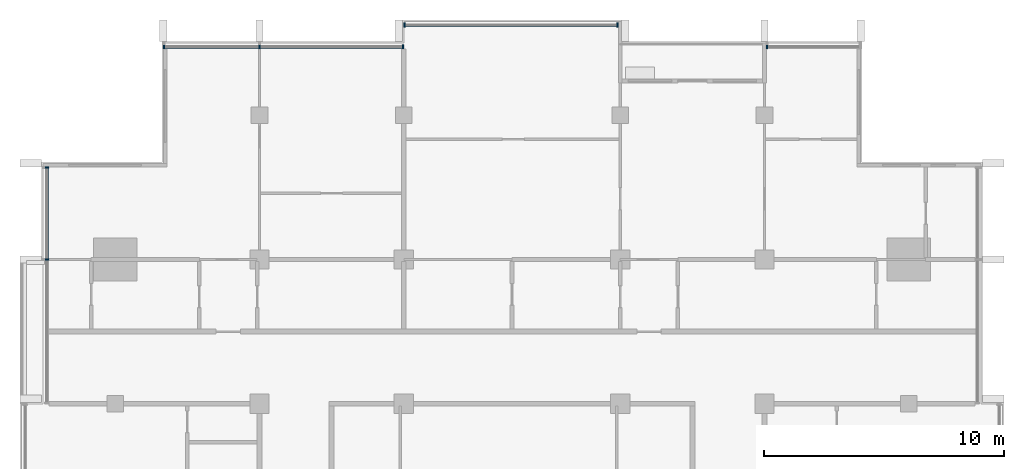
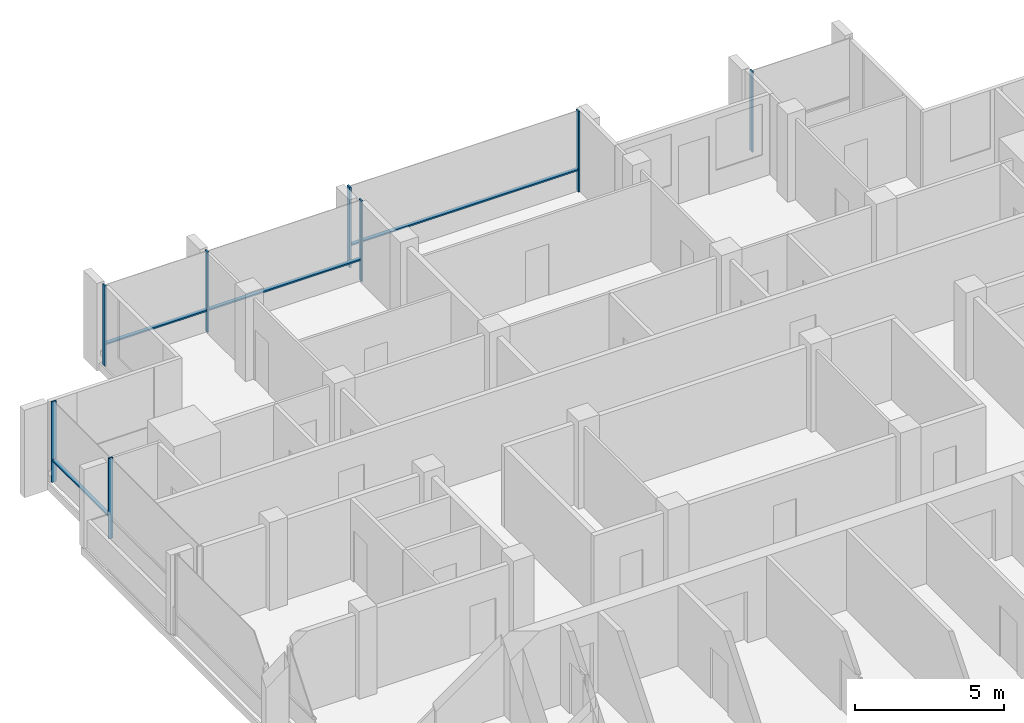
# One storey, part 4 of 16: 12 members, 4 elements without a shape of their own.
"""IFC4 building model written with IfcOpenShell, lengths in metres."""

from ifc_helpers import new_model, si_unit, direction, frame, origin, origin_2d, place, context, subcontext, project, spatial, rectangle, extrude, material, material_profile, profile_set, type_object, element, aggregate, save


model = new_model("IFC4")

# Units and contexts
model_context = context("Model", 3, precision=1e-05, world=origin(), true_north=direction((0.0, 1.0)))
body_context = subcontext(model_context, "Body", "Model", "MODEL_VIEW")
ifc_project = project(units=[si_unit("LENGTHUNIT", "METRE"), si_unit("AREAUNIT", "SQUARE_METRE"), si_unit("VOLUMEUNIT", "CUBIC_METRE"), si_unit("PLANEANGLEUNIT", "RADIAN"), si_unit("MASSUNIT", "GRAM", prefix="KILO")], contexts=[model_context])

# Site, building, storey
site_placement = place(None, origin())
site = spatial("IfcSite", under=ifc_project, at=site_placement, CompositionType="ELEMENT")
building_placement = place(site_placement, origin())
building = spatial("IfcBuilding", under=site, at=building_placement, Name="Finial Court Residences", CompositionType="ELEMENT")
storey_placement = place(building_placement, frame((0.0, 0.0, 284.300048828125)))
storey = spatial("IfcBuildingStorey", under=building, at=storey_placement, Name="L72", CompositionType="ELEMENT", Elevation=284.300048828125)

# Curtain wall, members
ifc_material = material(Name="Bronze anodised aluminium", Category="aluminium")
curtain_wall_type = type_object("IfcCurtainWallType", Name="Unitised curtain wall, upper zones", PredefinedType="NOTDEFINED", material=ifc_material)
curtain_wall_1_placement = place(storey_placement, origin())
curtain_wall_1 = element("IfcCurtainWall", 1, at=curtain_wall_1_placement, inside=storey, type_object=curtain_wall_type, Name="E-L72-CW-N1", PredefinedType="NOTDEFINED")
ifc_material_profile_1 = material_profile(ifc_material, rectangle(XDim=0.175048828125, YDim=0.06005859375, at=origin_2d()), Name="CW2 mullion 60 x 175")
ifc_profile_set_1 = profile_set([ifc_material_profile_1], Name="Bronze anodised aluminium")
member_type_1 = type_object("IfcMemberType", Name="CW2 mullion 60 x 175", PredefinedType="MULLION", material=ifc_profile_set_1)
member_1_placement = place(storey_placement, frame((-14.469970703125, 16.35009765625, 0.0), z_axis=(0.0, 0.0, 1.0), x_axis=(0.0, 1.0, 0.0)))
member_1 = element("IfcMember", 2, at=member_1_placement, type_object=member_type_1, Name="CW2 mullion 1", PredefinedType="MULLION", context=body_context, shape_type="SweptSolid", body=[
    extrude(rectangle(XDim=0.175048828125, YDim=0.06005859375, at=origin_2d()), origin(), (0.0, 0.0, 1.0), 3.300048828125),
])
member_2_placement = place(storey_placement, frame((-10.5, 16.35009765625, 0.0), z_axis=(0.0, 0.0, 1.0), x_axis=(0.0, 1.0, 0.0)))
member_2 = element("IfcMember", 3, at=member_2_placement, type_object=member_type_1, Name="CW2 mullion 2", PredefinedType="MULLION", context=body_context, shape_type="SweptSolid", body=[
    extrude(rectangle(XDim=0.175048828125, YDim=0.06005859375, at=origin_2d()), origin(), (0.0, 0.0, 1.0), 3.300048828125),
])
member_3_placement = place(storey_placement, frame((-4.530029296875, 16.35009765625, 0.0), z_axis=(0.0, 0.0, 1.0), x_axis=(0.0, 1.0, 0.0)))
member_3 = element("IfcMember", 4, at=member_3_placement, type_object=member_type_1, Name="CW2 mullion 3", PredefinedType="MULLION", context=body_context, shape_type="SweptSolid", body=[
    extrude(rectangle(XDim=0.175048828125, YDim=0.06005859375, at=origin_2d()), origin(), (0.0, 0.0, 1.0), 3.300048828125),
])

curtain_wall_2_placement = place(storey_placement, origin())
curtain_wall_2 = element("IfcCurtainWall", 5, at=curtain_wall_2_placement, inside=storey, type_object=curtain_wall_type, Name="E-L72-CW-N2", PredefinedType="NOTDEFINED")
member_4_placement = place(storey_placement, frame((-4.469970703125, 17.25, 0.0), z_axis=(0.0, 0.0, 1.0), x_axis=(0.0, 1.0, 0.0)))
member_4 = element("IfcMember", 6, at=member_4_placement, type_object=member_type_1, Name="CW2 mullion 1", PredefinedType="MULLION", context=body_context, shape_type="SweptSolid", body=[
    extrude(rectangle(XDim=0.175048828125, YDim=0.06005859375, at=origin_2d()), origin(), (0.0, 0.0, 1.0), 3.300048828125),
])
member_5_placement = place(storey_placement, frame((4.39501953125, 17.25, 0.0), z_axis=(0.0, 0.0, 1.0), x_axis=(0.0, 1.0, 0.0)))
member_5 = element("IfcMember", 7, at=member_5_placement, type_object=member_type_1, Name="CW2 mullion 2", PredefinedType="MULLION", context=body_context, shape_type="SweptSolid", body=[
    extrude(rectangle(XDim=0.175048828125, YDim=0.06005859375, at=origin_2d()), origin(), (0.0, 0.0, 1.0), 3.300048828125),
])

# Curtain wall, member
curtain_wall_3_placement = place(storey_placement, origin())
curtain_wall_3 = element("IfcCurtainWall", 8, at=curtain_wall_3_placement, inside=storey, type_object=curtain_wall_type, Name="E-L72-CW-N3", PredefinedType="NOTDEFINED")
member_6_placement = place(storey_placement, frame((10.60498046875, 16.35009765625, 0.0), z_axis=(0.0, 0.0, 1.0), x_axis=(0.0, 1.0, 0.0)))
member_6 = element("IfcMember", 9, at=member_6_placement, type_object=member_type_1, Name="CW2 mullion 1", PredefinedType="MULLION", context=body_context, shape_type="SweptSolid", body=[
    extrude(rectangle(XDim=0.175048828125, YDim=0.06005859375, at=origin_2d()), origin(), (0.0, 0.0, 1.0), 3.300048828125),
])
aggregate(curtain_wall_3, [member_6])

# Curtain wall, members
curtain_wall_4_placement = place(storey_placement, origin())
curtain_wall_4 = element("IfcCurtainWall", 10, at=curtain_wall_4_placement, inside=storey, type_object=curtain_wall_type, Name="E-L72-CW-W11", PredefinedType="NOTDEFINED")
member_7_placement = place(storey_placement, frame((-19.35009765625, 7.5, 0.0), z_axis=(0.0, 0.0, 1.0), x_axis=(-1.0, 0.0, 0.0)))
member_7 = element("IfcMember", 11, at=member_7_placement, type_object=member_type_1, Name="CW2 mullion 2", PredefinedType="MULLION", context=body_context, shape_type="SweptSolid", body=[
    extrude(rectangle(XDim=0.175048828125, YDim=0.06005859375, at=origin_2d()), origin(), (0.0, 0.0, 1.0), 3.300048828125),
])
member_8_placement = place(storey_placement, frame((-19.35009765625, 11.320068359375, 0.0), z_axis=(0.0, 0.0, 1.0), x_axis=(-1.0, 0.0, 0.0)))
member_8 = element("IfcMember", 12, at=member_8_placement, type_object=member_type_1, Name="CW2 mullion 3", PredefinedType="MULLION", context=body_context, shape_type="SweptSolid", body=[
    extrude(rectangle(XDim=0.175048828125, YDim=0.06005859375, at=origin_2d()), origin(), (0.0, 0.0, 1.0), 3.300048828125),
])

# Member
ifc_material_profile_2 = material_profile(ifc_material, rectangle(XDim=0.139892578125, YDim=0.06005859375, at=origin_2d()), Name="CW2 transom 60 x 140")
ifc_profile_set_2 = profile_set([ifc_material_profile_2], Name="Bronze anodised aluminium")
member_type_2 = type_object("IfcMemberType", Name="CW2 transom 60 x 140", PredefinedType="USERDEFINED", material=ifc_profile_set_2)
member_9_placement = place(storey_placement, frame((-14.43994140625, 16.35009765625, 0.89990234375), z_axis=(1.0, 0.0, 0.0), x_axis=(0.0, 1.0, 0.0)))
member_9 = element("IfcMember", 13, at=member_9_placement, type_object=member_type_2, Name="CW2 transom 1.1", ObjectType="TRANSOM", PredefinedType="USERDEFINED", context=body_context, shape_type="SweptSolid", body=[
    extrude(rectangle(XDim=0.139892578125, YDim=0.06005859375, at=origin_2d()), origin(), (0.0, 0.0, 1.0), 3.909912109375),
])

member_10_placement = place(storey_placement, frame((-10.469970703125, 16.35009765625, 0.89990234375), z_axis=(1.0, 0.0, 0.0), x_axis=(0.0, 1.0, 0.0)))
member_10 = element("IfcMember", 14, at=member_10_placement, type_object=member_type_2, Name="CW2 transom 2.1", ObjectType="TRANSOM", PredefinedType="USERDEFINED", context=body_context, shape_type="SweptSolid", body=[
    extrude(rectangle(XDim=0.139892578125, YDim=0.06005859375, at=origin_2d()), origin(), (0.0, 0.0, 1.0), 5.909912109375),
])

aggregate(curtain_wall_1, [member_1, member_2, member_3, member_9, member_10])

member_11_placement = place(storey_placement, frame((-4.43994140625, 17.25, 0.89990234375), z_axis=(1.0, 0.0, 0.0), x_axis=(0.0, 1.0, 0.0)))
member_11 = element("IfcMember", 15, at=member_11_placement, type_object=member_type_2, Name="CW2 transom 1.1", ObjectType="TRANSOM", PredefinedType="USERDEFINED", context=body_context, shape_type="SweptSolid", body=[
    extrude(rectangle(XDim=0.139892578125, YDim=0.06005859375, at=origin_2d()), origin(), (0.0, 0.0, 1.0), 8.804931640625),
])

aggregate(curtain_wall_2, [member_4, member_5, member_11])

member_12_placement = place(storey_placement, frame((-19.35009765625, 7.530029296875, 0.89990234375), z_axis=(0.0, 1.0, 0.0), x_axis=(-1.0, 0.0, 0.0)))
member_12 = element("IfcMember", 16, at=member_12_placement, type_object=member_type_2, Name="CW2 transom 2.1", ObjectType="TRANSOM", PredefinedType="USERDEFINED", context=body_context, shape_type="SweptSolid", body=[
    extrude(rectangle(XDim=0.139892578125, YDim=0.06005859375, at=origin_2d()), origin(), (0.0, 0.0, 1.0), 3.760009765625),
])

aggregate(curtain_wall_4, [member_7, member_8, member_12])

save(model, "model.ifc")
